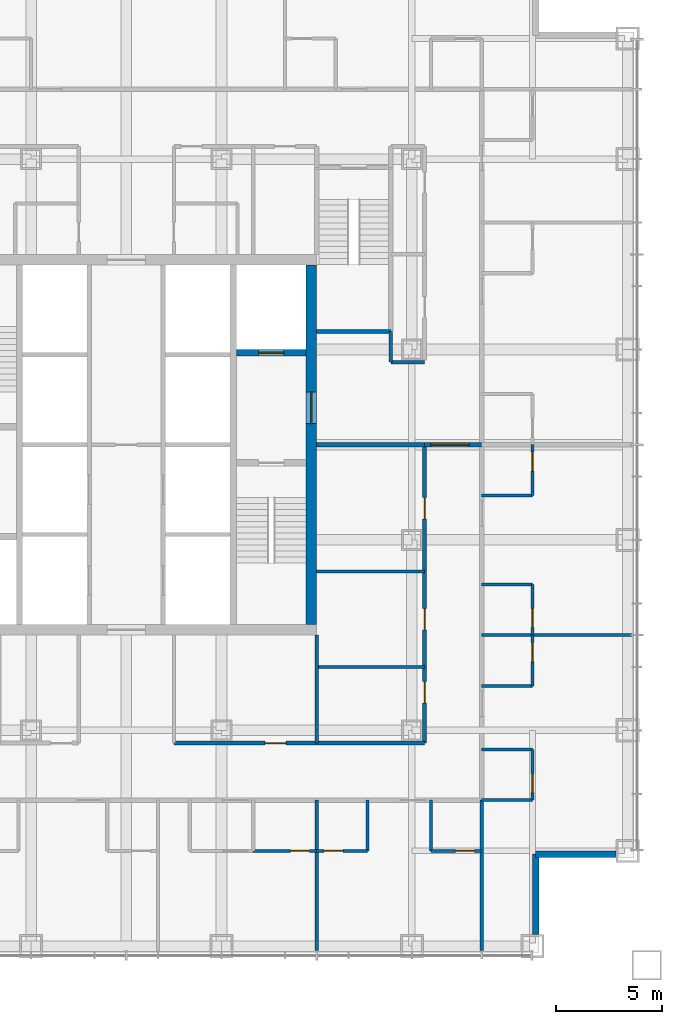
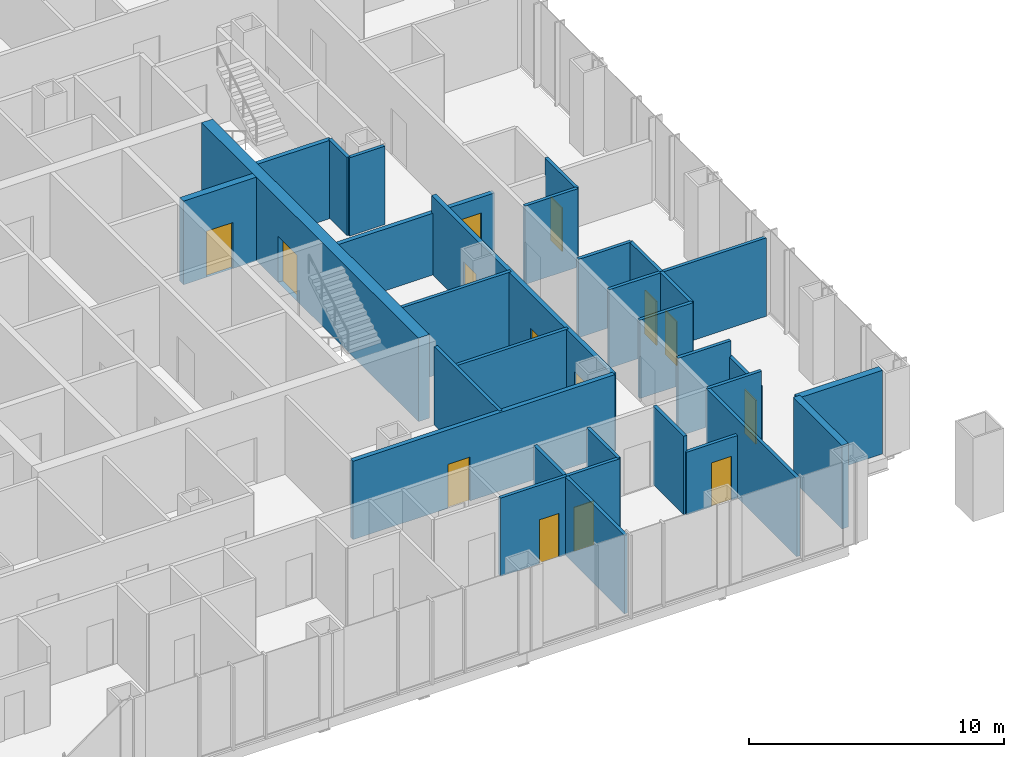
# One storey, part 9 of 12: 31 walls, 14 doors, 14 openings.
"""IFC4 building model written with IfcOpenShell, lengths in metres."""

from ifc_helpers import new_model, si_unit, direction, frame, frame_2d, origin, place, context, subcontext, project, spatial, rectangle, extrude, material, layer, layer_set, type_object, element, fill, save


model = new_model("IFC4")

# Units and contexts
model_context = context("Model", 3, precision=1e-05, world=origin(), true_north=direction((0.0, 1.0)))
body_context = subcontext(model_context, "Body", "Model", "MODEL_VIEW")
ifc_project = project(units=[si_unit("LENGTHUNIT", "METRE"), si_unit("AREAUNIT", "SQUARE_METRE"), si_unit("VOLUMEUNIT", "CUBIC_METRE"), si_unit("PLANEANGLEUNIT", "RADIAN"), si_unit("MASSUNIT", "GRAM", prefix="KILO")], contexts=[model_context])

# Site, building, storey
site_placement = place(None, origin())
site = spatial("IfcSite", under=ifc_project, at=site_placement, CompositionType="ELEMENT")
building_placement = place(site_placement, origin())
building = spatial("IfcBuilding", under=site, at=building_placement, Name="Malebo Sky Hospital", CompositionType="ELEMENT")
storey_placement = place(building_placement, frame((0.0, 0.0, 136.0)))
storey = spatial("IfcBuildingStorey", under=building, at=storey_placement, Name="L32", CompositionType="ELEMENT", Elevation=136.0)

# Wall, opening, door
ifc_material_1 = material(Name="Concrete C80/95", Category="concrete")
ifc_layer_1 = layer(ifc_material_1, 0.300048828125)
ifc_layer_set_1 = layer_set([ifc_layer_1], Name="CORE INNER WALL 300")
wall_type_1 = type_object("IfcWallType", Name="CORE INNER WALL 300", PredefinedType="SHEAR", material=ifc_layer_set_1)
wall_1_placement = place(storey_placement, frame((65.199951171875, 66.35009765625, 0.0), z_axis=(0.0, 0.0, 1.0), x_axis=(1.0, 0.0, 0.0)))
wall_1 = element("IfcWall", 1, at=wall_1_placement, inside=storey, type_object=wall_type_1, Name="Core wall E2 L32", PredefinedType="SHEAR", context=body_context, shape_type="SweptSolid", body=[
    extrude(rectangle(XDim=3.300048828125, YDim=0.300048828125, at=frame_2d((1.64990234375, 0.0))), origin(), (0.0, 0.0, 1.0), 4.0),
])
opening_1_placement = place(wall_1_placement, frame((1.050048828125, 0.0, 0.0)))
opening_1 = element("IfcOpeningElement", 2, at=opening_1_placement, cuts=wall_1, Name="Opening LD2", PredefinedType="OPENING", context=body_context, shape_type="SweptSolid", body=[
    extrude(rectangle(XDim=1.199951171875, YDim=2.199951171875, at=frame_2d((0.60009765625, 1.10009765625))), frame((0.0, 0.159912109375, 0.0), z_axis=(0.0, -1.0, 0.0), x_axis=(1.0, 0.0, 0.0)), (0.0, 0.0, 1.0), 0.320068359375),
])
ifc_material_2 = material(Name="Stainless steel sliding landing door", Category="steel")
door_type_1 = type_object("IfcDoorType", Name="FIRE-FIGHTING LIFT LANDING DOOR 1200", OperationType="SLIDING_TO_LEFT", PredefinedType="DOOR", material=ifc_material_2)
door_1_placement = place(opening_1_placement, origin())
door_1 = element("IfcDoor", 3, at=door_1_placement, inside=storey, type_object=door_type_1, Name="Lift FL2 landing door", OperationType="SLIDING_TO_LEFT", OverallHeight=2.199951171875, OverallWidth=1.199951171875, PredefinedType="DOOR", context=body_context, shape_type="SweptSolid", body=[
    extrude(rectangle(XDim=1.199951171875, YDim=2.199951171875, at=frame_2d((0.60009765625, 1.10009765625))), frame((0.0, 0.02490234375, 0.0), z_axis=(0.0, -1.0, 0.0), x_axis=(1.0, 0.0, 0.0)), (0.0, 0.0, 1.0), 0.050048828125),
])
fill(opening_1, door_1)

ifc_layer_2 = layer(ifc_material_1, 0.5)
ifc_layer_set_2 = layer_set([ifc_layer_2], Name="CORE WALL 500")
wall_type_2 = type_object("IfcWallType", Name="CORE WALL 500", PredefinedType="SHEAR", material=ifc_layer_set_2)
wall_2_placement = place(storey_placement, frame((68.75, 53.5, 0.0), z_axis=(0.0, 0.0, 1.0), x_axis=(0.0, 1.0, 0.0)))
wall_2 = element("IfcWall", 4, at=wall_2_placement, inside=storey, type_object=wall_type_2, Name="Core wall E L32", PredefinedType="SHEAR", context=body_context, shape_type="SweptSolid", body=[
    extrude(rectangle(XDim=17.0, YDim=0.5, at=frame_2d((8.5, 0.0))), origin(), (0.0, 0.0, 1.0), 4.0),
])
opening_2_placement = place(wall_2_placement, frame((9.5, 0.0, 0.0)))
opening_2 = element("IfcOpeningElement", 5, at=opening_2_placement, cuts=wall_2, Name="Opening D07", PredefinedType="OPENING", context=body_context, shape_type="SweptSolid", body=[
    extrude(rectangle(XDim=1.5, YDim=2.199951171875, at=frame_2d((0.75, 1.10009765625))), frame((0.0, 0.260009765625, 0.0), z_axis=(0.0, -1.0, 0.0), x_axis=(1.0, 0.0, 0.0)), (0.0, 0.0, 1.0), 0.52001953125),
])
ifc_material_3 = material(Name="Hardwood-faced door leaf in steel frame", Category="steel")
door_type_2 = type_object("IfcDoorType", Name="FIRE-FIGHTING LOBBY DOOR PAIR 1500", OperationType="DOUBLE_DOOR_SINGLE_SWING", PredefinedType="DOOR", material=ifc_material_3)
door_2_placement = place(opening_2_placement, origin())
door_2 = element("IfcDoor", 6, at=door_2_placement, inside=storey, type_object=door_type_2, Name="Fire-fighting lobby door east", OperationType="DOUBLE_DOOR_SINGLE_SWING", OverallHeight=2.199951171875, OverallWidth=1.5, PredefinedType="DOOR", context=body_context, shape_type="SweptSolid", body=[
    extrude(rectangle(XDim=1.5, YDim=2.199951171875, at=frame_2d((0.75, 1.10009765625))), frame((0.0, 0.02490234375, 0.0), z_axis=(0.0, -1.0, 0.0), x_axis=(1.0, 0.0, 0.0)), (0.0, 0.0, 1.0), 0.050048828125),
])
fill(opening_2, door_2)

ifc_material_4 = material(Name="Gypsum board on steel studs", Category="steel")
ifc_layer_3 = layer(ifc_material_4, 0.199951171875)
ifc_layer_set_3 = layer_set([ifc_layer_3], Name="CORRIDOR WALL 200")
wall_type_3 = type_object("IfcWallType", Name="CORRIDOR WALL 200", PredefinedType="PARTITIONING", material=ifc_layer_set_3)
wall_3_placement = place(storey_placement, frame((74.10009765625, 47.89990234375, 0.0), z_axis=(0.0, 0.0, 1.0), x_axis=(-1.0, 0.0, 0.0)))
wall_3 = element("IfcWall", 7, at=wall_3_placement, inside=storey, type_object=wall_type_3, Name="Corridor Wall 200 SCI1", PredefinedType="PARTITIONING", context=body_context, shape_type="SweptSolid", body=[
    extrude(rectangle(XDim=11.85009765625, YDim=0.199951171875, at=frame_2d((5.925048828125, 0.0))), origin(), (0.0, 0.0, 1.0), 3.75),
])
opening_3_placement = place(wall_3_placement, frame((6.550048828125, 0.0, 0.0)))
opening_3 = element("IfcOpeningElement", 8, at=opening_3_placement, cuts=wall_3, Name="Opening D03", PredefinedType="OPENING", context=body_context, shape_type="SweptSolid", body=[
    extrude(rectangle(XDim=1.0, YDim=2.10009765625, at=frame_2d((0.5, 1.050048828125))), frame((0.0, 0.10986328125, 0.0), z_axis=(0.0, -1.0, 0.0), x_axis=(1.0, 0.0, 0.0)), (0.0, 0.0, 1.0), 0.219970703125),
])
door_type_3 = type_object("IfcDoorType", Name="ROOM DOOR 1000", OperationType="SINGLE_SWING_LEFT", PredefinedType="DOOR", material=ifc_material_3)
door_3_placement = place(opening_3_placement, origin())
door_3 = element("IfcDoor", 9, at=door_3_placement, inside=storey, type_object=door_type_3, Name="Staff rest room door", OperationType="SINGLE_SWING_LEFT", OverallHeight=2.10009765625, OverallWidth=1.0, PredefinedType="DOOR", context=body_context, shape_type="SweptSolid", body=[
    extrude(rectangle(XDim=1.0, YDim=2.10009765625, at=frame_2d((0.5, 1.050048828125))), frame((0.0, 0.02490234375, 0.0), z_axis=(0.0, -1.0, 0.0), x_axis=(1.0, 0.0, 0.0)), (0.0, 0.0, 1.0), 0.050048828125),
])
fill(opening_3, door_3)

# Wall, openings, doors
wall_4_placement = place(storey_placement, frame((74.10009765625, 62.0, 0.0), z_axis=(0.0, 0.0, 1.0), x_axis=(0.0, -1.0, 0.0)))
wall_4 = element("IfcWall", 10, at=wall_4_placement, inside=storey, type_object=wall_type_3, Name="Corridor Wall 200 ECI2", PredefinedType="PARTITIONING", context=body_context, shape_type="SweptSolid", body=[
    extrude(rectangle(XDim=14.10009765625, YDim=0.199951171875, at=frame_2d((7.050048828125, 0.0))), origin(), (0.0, 0.0, 1.0), 3.75),
])
opening_4_placement = place(wall_4_placement, frame((2.5, 0.0, 0.0)))
opening_4 = element("IfcOpeningElement", 11, at=opening_4_placement, cuts=wall_4, Name="Opening D03", PredefinedType="OPENING", context=body_context, shape_type="SweptSolid", body=[
    extrude(rectangle(XDim=1.0, YDim=2.10009765625, at=frame_2d((0.5, 1.050048828125))), frame((0.0, 0.10986328125, 0.0), z_axis=(0.0, -1.0, 0.0), x_axis=(1.0, 0.0, 0.0)), (0.0, 0.0, 1.0), 0.219970703125),
])
opening_5_placement = place(wall_4_placement, frame((7.75, 0.0, 0.0)))
opening_5 = element("IfcOpeningElement", 12, at=opening_5_placement, cuts=wall_4, Name="Opening D03", PredefinedType="OPENING", context=body_context, shape_type="SweptSolid", body=[
    extrude(rectangle(XDim=1.0, YDim=2.10009765625, at=frame_2d((0.5, 1.050048828125))), frame((0.0, 0.10986328125, 0.0), z_axis=(0.0, -1.0, 0.0), x_axis=(1.0, 0.0, 0.0)), (0.0, 0.0, 1.0), 0.219970703125),
])
opening_6_placement = place(wall_4_placement, frame((11.199951171875, 0.0, 0.0)))
opening_6 = element("IfcOpeningElement", 13, at=opening_6_placement, cuts=wall_4, Name="Opening D03", PredefinedType="OPENING", context=body_context, shape_type="SweptSolid", body=[
    extrude(rectangle(XDim=1.0, YDim=2.10009765625, at=frame_2d((0.5, 1.050048828125))), frame((0.0, 0.10986328125, 0.0), z_axis=(0.0, -1.0, 0.0), x_axis=(1.0, 0.0, 0.0)), (0.0, 0.0, 1.0), 0.219970703125),
])
door_4_placement = place(opening_4_placement, origin())
door_4 = element("IfcDoor", 14, at=door_4_placement, inside=storey, type_object=door_type_3, Name="Water treatment plant room door", OperationType="SINGLE_SWING_LEFT", OverallHeight=2.10009765625, OverallWidth=1.0, PredefinedType="DOOR", context=body_context, shape_type="SweptSolid", body=[
    extrude(rectangle(XDim=1.0, YDim=2.10009765625, at=frame_2d((0.5, 1.050048828125))), frame((0.0, 0.02490234375, 0.0), z_axis=(0.0, -1.0, 0.0), x_axis=(1.0, 0.0, 0.0)), (0.0, 0.0, 1.0), 0.050048828125),
])
fill(opening_4, door_4)
door_5_placement = place(opening_5_placement, origin())
door_5 = element("IfcDoor", 15, at=door_5_placement, inside=storey, type_object=door_type_3, Name="Staff base door", OperationType="SINGLE_SWING_LEFT", OverallHeight=2.10009765625, OverallWidth=1.0, PredefinedType="DOOR", context=body_context, shape_type="SweptSolid", body=[
    extrude(rectangle(XDim=1.0, YDim=2.10009765625, at=frame_2d((0.5, 1.050048828125))), frame((0.0, 0.02490234375, 0.0), z_axis=(0.0, -1.0, 0.0), x_axis=(1.0, 0.0, 0.0)), (0.0, 0.0, 1.0), 0.050048828125),
])
fill(opening_5, door_5)
door_6_placement = place(opening_6_placement, origin())
door_6 = element("IfcDoor", 16, at=door_6_placement, inside=storey, type_object=door_type_3, Name="Dirty utility room door", OperationType="SINGLE_SWING_LEFT", OverallHeight=2.10009765625, OverallWidth=1.0, PredefinedType="DOOR", context=body_context, shape_type="SweptSolid", body=[
    extrude(rectangle(XDim=1.0, YDim=2.10009765625, at=frame_2d((0.5, 1.050048828125))), frame((0.0, 0.02490234375, 0.0), z_axis=(0.0, -1.0, 0.0), x_axis=(1.0, 0.0, 0.0)), (0.0, 0.0, 1.0), 0.050048828125),
])
fill(opening_6, door_6)

# Walls
ifc_material_5 = material(Name="Anodised aluminium rainscreen on steel framing", Category="steel")
ifc_layer_4 = layer(ifc_material_5, 0.300048828125)
ifc_layer_set_4 = layer_set([ifc_layer_4], Name="NOTCH RAINSCREEN WALL 300")
wall_type_4 = type_object("IfcWallType", Name="NOTCH RAINSCREEN WALL 300", PredefinedType="ELEMENTEDWALL", material=ifc_layer_set_4)
for number, where, z_axis, x_axis, name in (
    (17, (83.14990234375, 42.64990234375, 0.0), (0.0, 0.0, 1.0), (-1.0, 0.0, 0.0), "Notch rainscreen wall E1 L32"),
    (18, (79.35009765625, 42.64990234375, 0.0), (0.0, 0.0, 1.0), (0.0, -1.0, 0.0), "Notch rainscreen wall E2 L32"),
):
    element("IfcWall", number, at=place(storey_placement, frame(where, z_axis=z_axis, x_axis=x_axis)), inside=storey, type_object=wall_type_4, Name=name, PredefinedType="ELEMENTEDWALL", context=body_context, shape_type="SweptSolid", body=[
        extrude(rectangle(XDim=3.7998046875, YDim=0.300048828125, at=frame_2d((1.89990234375, 0.0))), origin(), (0.0, 0.0, 1.0), 4.0),
    ])
ifc_layer_5 = layer(ifc_material_4, 0.14990234375)
ifc_layer_set_5 = layer_set([ifc_layer_5], Name="PARTITION 150")
wall_type_5 = type_object("IfcWallType", Name="PARTITION 150", PredefinedType="PARTITIONING", material=ifc_layer_set_5)
for number, where, z_axis, x_axis, name in (
    (19, (69.0, 45.199951171875, 0.0), (0.0, 0.0, 1.0), (0.0, -1.0, 0.0), "Partition 150 SP-9.0"),
    (20, (76.800048828125, 45.199951171875, 0.0), (0.0, 0.0, 1.0), (0.0, -1.0, 0.0), "Partition 150 SP0"),
):
    element("IfcWall", number, at=place(storey_placement, frame(where, z_axis=z_axis, x_axis=x_axis)), inside=storey, type_object=wall_type_5, Name=name, PredefinedType="PARTITIONING", context=body_context, shape_type="SweptSolid", body=[
        extrude(rectangle(XDim=7.10986328125, YDim=0.14990234375, at=frame_2d((3.554931640625, 0.0))), origin(), (0.0, 0.0, 1.0), 3.75),
    ])

# Wall, opening, door
wall_5_placement = place(storey_placement, frame((76.800048828125, 42.800048828125, 0.0), z_axis=(0.0, 0.0, 1.0), x_axis=(-1.0, 0.0, 0.0)))
wall_5 = element("IfcWall", 21, at=wall_5_placement, inside=storey, type_object=wall_type_5, Name="Partition 150 SE0F", PredefinedType="PARTITIONING", context=body_context, shape_type="SweptSolid", body=[
    extrude(rectangle(XDim=2.400146484375, YDim=0.14990234375, at=frame_2d((1.2001953125, 0.0))), origin(), (0.0, 0.0, 1.0), 2.9970703125),
])
opening_7_placement = place(wall_5_placement, frame((0.35009765625, 0.0, 0.0)))
opening_7 = element("IfcOpeningElement", 22, at=opening_7_placement, cuts=wall_5, Name="Opening D02", PredefinedType="OPENING", context=body_context, shape_type="SweptSolid", body=[
    extrude(rectangle(XDim=0.89990234375, YDim=2.10009765625, at=frame_2d((0.449951171875, 1.050048828125))), frame((0.0, 0.0849609375, 0.0), z_axis=(0.0, -1.0, 0.0), x_axis=(1.0, 0.0, 0.0)), (0.0, 0.0, 1.0), 0.169921875),
])
door_type_4 = type_object("IfcDoorType", Name="EN-SUITE DOOR 900", OperationType="SINGLE_SWING_LEFT", PredefinedType="DOOR", material=ifc_material_3)
door_7_placement = place(opening_7_placement, origin())
door_7 = element("IfcDoor", 23, at=door_7_placement, inside=storey, type_object=door_type_4, Name="En-suite door", OperationType="SINGLE_SWING_LEFT", OverallHeight=2.10009765625, OverallWidth=0.89990234375, PredefinedType="DOOR", context=body_context, shape_type="SweptSolid", body=[
    extrude(rectangle(XDim=0.89990234375, YDim=2.10009765625, at=frame_2d((0.449951171875, 1.050048828125))), frame((0.0, 0.02490234375, 0.0), z_axis=(0.0, -1.0, 0.0), x_axis=(1.0, 0.0, 0.0)), (0.0, 0.0, 1.0), 0.050048828125),
])
fill(opening_7, door_7)

# Wall
wall_6_placement = place(storey_placement, frame((74.39990234375, 45.199951171875, 0.0), z_axis=(0.0, 0.0, 1.0), x_axis=(0.0, -1.0, 0.0)))
element("IfcWall", 24, at=wall_6_placement, inside=storey, type_object=wall_type_5, Name="Partition 150 SE0S", PredefinedType="PARTITIONING", context=body_context, shape_type="SweptSolid", body=[
    extrude(rectangle(XDim=2.39990234375, YDim=0.14990234375, at=frame_2d((1.199951171875, 0.0))), origin(), (0.0, 0.0, 1.0), 3.75),
])

# Wall, opening, door
wall_7_placement = place(storey_placement, frame((71.39990234375, 42.800048828125, 0.0), z_axis=(0.0, 0.0, 1.0), x_axis=(-1.0, 0.0, 0.0)))
wall_7 = element("IfcWall", 25, at=wall_7_placement, inside=storey, type_object=wall_type_5, Name="Partition 150 SG0F", PredefinedType="PARTITIONING", context=body_context, shape_type="SweptSolid", body=[
    extrude(rectangle(XDim=2.39990234375, YDim=0.14990234375, at=frame_2d((1.199951171875, 0.0))), origin(), (0.0, 0.0, 1.0), 3.75),
])
opening_8_placement = place(wall_7_placement, frame((1.14990234375, 0.0, 0.0)))
opening_8 = element("IfcOpeningElement", 26, at=opening_8_placement, cuts=wall_7, Name="Opening D02", PredefinedType="OPENING", context=body_context, shape_type="SweptSolid", body=[
    extrude(rectangle(XDim=0.89990234375, YDim=2.10009765625, at=frame_2d((0.449951171875, 1.050048828125))), frame((0.0, 0.0849609375, 0.0), z_axis=(0.0, -1.0, 0.0), x_axis=(1.0, 0.0, 0.0)), (0.0, 0.0, 1.0), 0.169921875),
])
door_8_placement = place(opening_8_placement, origin())
door_8 = element("IfcDoor", 27, at=door_8_placement, inside=storey, type_object=door_type_4, Name="En-suite door", OperationType="SINGLE_SWING_RIGHT", OverallHeight=2.10009765625, OverallWidth=0.89990234375, PredefinedType="DOOR", context=body_context, shape_type="SweptSolid", body=[
    extrude(rectangle(XDim=0.89990234375, YDim=2.10009765625, at=frame_2d((0.449951171875, 1.050048828125))), frame((0.0, 0.02490234375, 0.0), z_axis=(0.0, -1.0, 0.0), x_axis=(1.0, 0.0, 0.0)), (0.0, 0.0, 1.0), 0.050048828125),
])
fill(opening_8, door_8)

# Wall
wall_8_placement = place(storey_placement, frame((71.39990234375, 45.199951171875, 0.0), z_axis=(0.0, 0.0, 1.0), x_axis=(0.0, -1.0, 0.0)))
element("IfcWall", 28, at=wall_8_placement, inside=storey, type_object=wall_type_5, Name="Partition 150 SG0S", PredefinedType="PARTITIONING", context=body_context, shape_type="SweptSolid", body=[
    extrude(rectangle(XDim=2.39990234375, YDim=0.14990234375, at=frame_2d((1.199951171875, 0.0))), origin(), (0.0, 0.0, 1.0), 3.75),
])

# Wall, opening, door
wall_9_placement = place(storey_placement, frame((69.0, 42.800048828125, 0.0), z_axis=(0.0, 0.0, 1.0), x_axis=(-1.0, 0.0, 0.0)))
wall_9 = element("IfcWall", 29, at=wall_9_placement, inside=storey, type_object=wall_type_5, Name="Partition 150 SE1F", PredefinedType="PARTITIONING", context=body_context, shape_type="SweptSolid", body=[
    extrude(rectangle(XDim=3.0, YDim=0.14990234375, at=frame_2d((1.5, 0.0))), origin(), (0.0, 0.0, 1.0), 3.75),
])
opening_9_placement = place(wall_9_placement, frame((0.35009765625, 0.0, 0.0)))
opening_9 = element("IfcOpeningElement", 30, at=opening_9_placement, cuts=wall_9, Name="Opening D02", PredefinedType="OPENING", context=body_context, shape_type="SweptSolid", body=[
    extrude(rectangle(XDim=0.89990234375, YDim=2.10009765625, at=frame_2d((0.449951171875, 1.050048828125))), frame((0.0, 0.0849609375, 0.0), z_axis=(0.0, -1.0, 0.0), x_axis=(1.0, 0.0, 0.0)), (0.0, 0.0, 1.0), 0.169921875),
])
door_9_placement = place(opening_9_placement, origin())
door_9 = element("IfcDoor", 31, at=door_9_placement, inside=storey, type_object=door_type_4, Name="En-suite door", OperationType="SINGLE_SWING_LEFT", OverallHeight=2.10009765625, OverallWidth=0.89990234375, PredefinedType="DOOR", context=body_context, shape_type="SweptSolid", body=[
    extrude(rectangle(XDim=0.89990234375, YDim=2.10009765625, at=frame_2d((0.449951171875, 1.050048828125))), frame((0.0, 0.02490234375, 0.0), z_axis=(0.0, -1.0, 0.0), x_axis=(1.0, 0.0, 0.0)), (0.0, 0.0, 1.0), 0.050048828125),
])
fill(opening_9, door_9)

# Walls
wall_10_placement = place(storey_placement, frame((69.0, 53.0, 0.0), z_axis=(0.0, 0.0, 1.0), x_axis=(0.0, -1.0, 0.0)))
element("IfcWall", 32, at=wall_10_placement, inside=storey, type_object=wall_type_5, Name="Partition 150 SSP0", PredefinedType="PARTITIONING", context=body_context, shape_type="SweptSolid", body=[
    extrude(rectangle(XDim=5.10009765625, YDim=0.14990234375, at=frame_2d((2.550048828125, 0.0))), origin(), (0.0, 0.0, 1.0), 3.75),
])
wall_11_placement = place(storey_placement, frame((76.800048828125, 53.0, 0.0), z_axis=(0.0, 0.0, 1.0), x_axis=(1.0, 0.0, 0.0)))
element("IfcWall", 33, at=wall_11_placement, inside=storey, type_object=wall_type_5, Name="Partition 150 EP+9.0", PredefinedType="PARTITIONING", context=body_context, shape_type="SweptSolid", body=[
    extrude(rectangle(XDim=7.10986328125, YDim=0.14990234375, at=frame_2d((3.554931640625, 0.0))), origin(), (0.0, 0.0, 1.0), 3.75),
])

# Wall, opening, door
wall_12_placement = place(storey_placement, frame((79.199951171875, 62.0, 0.0), z_axis=(0.0, 0.0, 1.0), x_axis=(0.0, -1.0, 0.0)))
wall_12 = element("IfcWall", 34, at=wall_12_placement, inside=storey, type_object=wall_type_5, Name="Partition 150 EE2F", PredefinedType="PARTITIONING", context=body_context, shape_type="SweptSolid", body=[
    extrude(rectangle(XDim=2.39990234375, YDim=0.14990234375, at=frame_2d((1.199951171875, 0.0))), origin(), (0.0, 0.0, 1.0), 3.75),
])
opening_10_placement = place(wall_12_placement, frame((0.35009765625, 0.0, 0.0)))
opening_10 = element("IfcOpeningElement", 35, at=opening_10_placement, cuts=wall_12, Name="Opening D02", PredefinedType="OPENING", context=body_context, shape_type="SweptSolid", body=[
    extrude(rectangle(XDim=0.89990234375, YDim=2.10009765625, at=frame_2d((0.449951171875, 1.050048828125))), frame((0.0, 0.0849609375, 0.0), z_axis=(0.0, -1.0, 0.0), x_axis=(1.0, 0.0, 0.0)), (0.0, 0.0, 1.0), 0.169921875),
])
door_10_placement = place(opening_10_placement, origin())
door_10 = element("IfcDoor", 36, at=door_10_placement, inside=storey, type_object=door_type_4, Name="En-suite door", OperationType="SINGLE_SWING_LEFT", OverallHeight=2.10009765625, OverallWidth=0.89990234375, PredefinedType="DOOR", context=body_context, shape_type="SweptSolid", body=[
    extrude(rectangle(XDim=0.89990234375, YDim=2.10009765625, at=frame_2d((0.449951171875, 1.050048828125))), frame((0.0, 0.02490234375, 0.0), z_axis=(0.0, -1.0, 0.0), x_axis=(1.0, 0.0, 0.0)), (0.0, 0.0, 1.0), 0.050048828125),
])
fill(opening_10, door_10)

# Wall
wall_13_placement = place(storey_placement, frame((76.800048828125, 59.60009765625, 0.0), z_axis=(0.0, 0.0, 1.0), x_axis=(1.0, 0.0, 0.0)))
element("IfcWall", 37, at=wall_13_placement, inside=storey, type_object=wall_type_5, Name="Partition 150 EE2S", PredefinedType="PARTITIONING", context=body_context, shape_type="SweptSolid", body=[
    extrude(rectangle(XDim=2.39990234375, YDim=0.14990234375, at=frame_2d((1.199951171875, 0.0))), origin(), (0.0, 0.0, 1.0), 3.75),
])

# Wall, opening, door
wall_14_placement = place(storey_placement, frame((79.199951171875, 55.39990234375, 0.0), z_axis=(0.0, 0.0, 1.0), x_axis=(0.0, -1.0, 0.0)))
wall_14 = element("IfcWall", 38, at=wall_14_placement, inside=storey, type_object=wall_type_5, Name="Partition 150 EG2F", PredefinedType="PARTITIONING", context=body_context, shape_type="SweptSolid", body=[
    extrude(rectangle(XDim=2.39990234375, YDim=0.14990234375, at=frame_2d((1.199951171875, 0.0))), origin(), (0.0, 0.0, 1.0), 3.75),
])
opening_11_placement = place(wall_14_placement, frame((1.14990234375, 0.0, 0.0)))
opening_11 = element("IfcOpeningElement", 39, at=opening_11_placement, cuts=wall_14, Name="Opening D02", PredefinedType="OPENING", context=body_context, shape_type="SweptSolid", body=[
    extrude(rectangle(XDim=0.89990234375, YDim=2.10009765625, at=frame_2d((0.449951171875, 1.050048828125))), frame((0.0, 0.0849609375, 0.0), z_axis=(0.0, -1.0, 0.0), x_axis=(1.0, 0.0, 0.0)), (0.0, 0.0, 1.0), 0.169921875),
])
door_11_placement = place(opening_11_placement, origin())
door_11 = element("IfcDoor", 40, at=door_11_placement, inside=storey, type_object=door_type_4, Name="En-suite door", OperationType="SINGLE_SWING_RIGHT", OverallHeight=2.10009765625, OverallWidth=0.89990234375, PredefinedType="DOOR", context=body_context, shape_type="SweptSolid", body=[
    extrude(rectangle(XDim=0.89990234375, YDim=2.10009765625, at=frame_2d((0.449951171875, 1.050048828125))), frame((0.0, 0.02490234375, 0.0), z_axis=(0.0, -1.0, 0.0), x_axis=(1.0, 0.0, 0.0)), (0.0, 0.0, 1.0), 0.050048828125),
])
fill(opening_11, door_11)

# Wall
wall_15_placement = place(storey_placement, frame((76.800048828125, 55.39990234375, 0.0), z_axis=(0.0, 0.0, 1.0), x_axis=(1.0, 0.0, 0.0)))
element("IfcWall", 41, at=wall_15_placement, inside=storey, type_object=wall_type_5, Name="Partition 150 EG2S", PredefinedType="PARTITIONING", context=body_context, shape_type="SweptSolid", body=[
    extrude(rectangle(XDim=2.39990234375, YDim=0.14990234375, at=frame_2d((1.199951171875, 0.0))), origin(), (0.0, 0.0, 1.0), 3.75),
])

# Wall, opening, door
wall_16_placement = place(storey_placement, frame((79.199951171875, 53.0, 0.0), z_axis=(0.0, 0.0, 1.0), x_axis=(0.0, -1.0, 0.0)))
wall_16 = element("IfcWall", 42, at=wall_16_placement, inside=storey, type_object=wall_type_5, Name="Partition 150 EE3F", PredefinedType="PARTITIONING", context=body_context, shape_type="SweptSolid", body=[
    extrude(rectangle(XDim=2.39990234375, YDim=0.14990234375, at=frame_2d((1.199951171875, 0.0))), origin(), (0.0, 0.0, 1.0), 3.75),
])
opening_12_placement = place(wall_16_placement, frame((0.35009765625, 0.0, 0.0)))
opening_12 = element("IfcOpeningElement", 43, at=opening_12_placement, cuts=wall_16, Name="Opening D02", PredefinedType="OPENING", context=body_context, shape_type="SweptSolid", body=[
    extrude(rectangle(XDim=0.89990234375, YDim=2.10009765625, at=frame_2d((0.449951171875, 1.050048828125))), frame((0.0, 0.0849609375, 0.0), z_axis=(0.0, -1.0, 0.0), x_axis=(1.0, 0.0, 0.0)), (0.0, 0.0, 1.0), 0.169921875),
])
door_12_placement = place(opening_12_placement, origin())
door_12 = element("IfcDoor", 44, at=door_12_placement, inside=storey, type_object=door_type_4, Name="En-suite door", OperationType="SINGLE_SWING_LEFT", OverallHeight=2.10009765625, OverallWidth=0.89990234375, PredefinedType="DOOR", context=body_context, shape_type="SweptSolid", body=[
    extrude(rectangle(XDim=0.89990234375, YDim=2.10009765625, at=frame_2d((0.449951171875, 1.050048828125))), frame((0.0, 0.02490234375, 0.0), z_axis=(0.0, -1.0, 0.0), x_axis=(1.0, 0.0, 0.0)), (0.0, 0.0, 1.0), 0.050048828125),
])
fill(opening_12, door_12)

# Wall
wall_17_placement = place(storey_placement, frame((76.800048828125, 50.60009765625, 0.0), z_axis=(0.0, 0.0, 1.0), x_axis=(1.0, 0.0, 0.0)))
element("IfcWall", 45, at=wall_17_placement, inside=storey, type_object=wall_type_5, Name="Partition 150 EE3S", PredefinedType="PARTITIONING", context=body_context, shape_type="SweptSolid", body=[
    extrude(rectangle(XDim=2.39990234375, YDim=0.14990234375, at=frame_2d((1.199951171875, 0.0))), origin(), (0.0, 0.0, 1.0), 3.75),
])

# Wall, opening, door
wall_18_placement = place(storey_placement, frame((79.199951171875, 47.60009765625, 0.0), z_axis=(0.0, 0.0, 1.0), x_axis=(0.0, -1.0, 0.0)))
wall_18 = element("IfcWall", 46, at=wall_18_placement, inside=storey, type_object=wall_type_5, Name="Partition 150 EG3F", PredefinedType="PARTITIONING", context=body_context, shape_type="SweptSolid", body=[
    extrude(rectangle(XDim=2.400146484375, YDim=0.14990234375, at=frame_2d((1.2001953125, 0.0))), origin(), (0.0, 0.0, 1.0), 2.9970703125),
])
opening_13_placement = place(wall_18_placement, frame((1.14990234375, 0.0, 0.0)))
opening_13 = element("IfcOpeningElement", 47, at=opening_13_placement, cuts=wall_18, Name="Opening D02", PredefinedType="OPENING", context=body_context, shape_type="SweptSolid", body=[
    extrude(rectangle(XDim=0.89990234375, YDim=2.10009765625, at=frame_2d((0.449951171875, 1.050048828125))), frame((0.0, 0.0849609375, 0.0), z_axis=(0.0, -1.0, 0.0), x_axis=(1.0, 0.0, 0.0)), (0.0, 0.0, 1.0), 0.169921875),
])
door_13_placement = place(opening_13_placement, origin())
door_13 = element("IfcDoor", 48, at=door_13_placement, inside=storey, type_object=door_type_4, Name="En-suite door", OperationType="SINGLE_SWING_RIGHT", OverallHeight=2.10009765625, OverallWidth=0.89990234375, PredefinedType="DOOR", context=body_context, shape_type="SweptSolid", body=[
    extrude(rectangle(XDim=0.89990234375, YDim=2.10009765625, at=frame_2d((0.449951171875, 1.050048828125))), frame((0.0, 0.02490234375, 0.0), z_axis=(0.0, -1.0, 0.0), x_axis=(1.0, 0.0, 0.0)), (0.0, 0.0, 1.0), 0.050048828125),
])
fill(opening_13, door_13)

# Walls
for number, where, z_axis, x_axis, name in (
    (49, (76.800048828125, 47.60009765625, 0.0), (0.0, 0.0, 1.0), (1.0, 0.0, 0.0), "Partition 150 EG3S"),
    (50, (76.800048828125, 45.199951171875, 0.0), (0.0, 0.0, 1.0), (1.0, 0.0, 0.0), "Partition 150 EEZ"),
):
    element("IfcWall", number, at=place(storey_placement, frame(where, z_axis=z_axis, x_axis=x_axis)), inside=storey, type_object=wall_type_5, Name=name, PredefinedType="PARTITIONING", context=body_context, shape_type="SweptSolid", body=[
        extrude(rectangle(XDim=2.39990234375, YDim=0.14990234375, at=frame_2d((1.199951171875, 0.0))), origin(), (0.0, 0.0, 1.0), 3.75),
    ])
wall_19_placement = place(storey_placement, frame((72.5, 65.89990234375, 0.0), z_axis=(0.0, 0.0, 1.0), x_axis=(1.0, 0.0, 0.0)))
element("IfcWall", 51, at=wall_19_placement, inside=storey, type_object=wall_type_5, Name="Partition 150 ESPA", PredefinedType="PARTITIONING", context=body_context, shape_type="SweptSolid", body=[
    extrude(rectangle(XDim=1.60009765625, YDim=0.14990234375, at=frame_2d((0.800048828125, 0.0))), origin(), (0.0, 0.0, 1.0), 3.75),
])
for number, where, z_axis, x_axis, name in (
    (52, (69.0, 56.0, 0.0), (0.0, 0.0, 1.0), (1.0, 0.0, 0.0), "Partition 150 ESP+6.0"),
    (53, (69.0, 51.5, 0.0), (0.0, 0.0, 1.0), (1.0, 0.0, 0.0), "Partition 150 ESP+10.5"),
):
    element("IfcWall", number, at=place(storey_placement, frame(where, z_axis=z_axis, x_axis=x_axis)), inside=storey, type_object=wall_type_5, Name=name, PredefinedType="PARTITIONING", context=body_context, shape_type="SweptSolid", body=[
        extrude(rectangle(XDim=5.10009765625, YDim=0.14990234375, at=frame_2d((2.550048828125, 0.0))), origin(), (0.0, 0.0, 1.0), 3.75),
    ])
wall_20_placement = place(storey_placement, frame((72.5, 65.89990234375, 0.0), z_axis=(0.0, 0.0, 1.0), x_axis=(0.0, 1.0, 0.0)))
element("IfcWall", 54, at=wall_20_placement, inside=storey, type_object=wall_type_5, Name="Partition 150 ST3C", PredefinedType="PARTITIONING", context=body_context, shape_type="SweptSolid", body=[
    extrude(rectangle(XDim=1.4501953125, YDim=0.14990234375, at=frame_2d((0.72509765625, 0.0))), origin(), (0.0, 0.0, 1.0), 3.75),
])
ifc_material_6 = material(Name="Concrete blockwork", Category="masonry")
ifc_layer_6 = layer(ifc_material_6, 0.199951171875)
ifc_layer_set_6 = layer_set([ifc_layer_6], Name="SMOKE BARRIER WALL 200")
wall_type_6 = type_object("IfcWallType", Name="SMOKE BARRIER WALL 200", PredefinedType="SOLIDWALL", material=ifc_layer_set_6)
wall_21_placement = place(storey_placement, frame((69.0, 62.0, 0.0), z_axis=(0.0, 0.0, 1.0), x_axis=(1.0, 0.0, 0.0)))
element("IfcWall", 55, at=wall_21_placement, inside=storey, type_object=wall_type_6, Name="Smoke Barrier Wall 200 ESPB", PredefinedType="SOLIDWALL", context=body_context, shape_type="SweptSolid", body=[
    extrude(rectangle(XDim=5.10009765625, YDim=0.199951171875, at=frame_2d((2.550048828125, 0.0))), origin(), (0.0, 0.0, 1.0), 2.949951171875),
])

# Wall, opening, door
wall_22_placement = place(storey_placement, frame((74.10009765625, 62.0, 0.0), z_axis=(0.0, 0.0, 1.0), x_axis=(1.0, 0.0, 0.0)))
wall_22 = element("IfcWall", 56, at=wall_22_placement, inside=storey, type_object=wall_type_6, Name="Smoke Barrier Wall 200 ESB", PredefinedType="SOLIDWALL", context=body_context, shape_type="SweptSolid", body=[
    extrude(rectangle(XDim=2.699951171875, YDim=0.199951171875, at=frame_2d((1.35009765625, 0.0))), origin(), (0.0, 0.0, 1.0), 2.949951171875),
])
opening_14_placement = place(wall_22_placement, frame((0.300048828125, 0.0, 0.0)))
opening_14 = element("IfcOpeningElement", 57, at=opening_14_placement, cuts=wall_22, Name="Opening D05", PredefinedType="OPENING", context=body_context, shape_type="SweptSolid", body=[
    extrude(rectangle(XDim=1.800048828125, YDim=2.199951171875, at=frame_2d((0.89990234375, 1.10009765625))), frame((0.0, 0.10986328125, 0.0), z_axis=(0.0, -1.0, 0.0), x_axis=(1.0, 0.0, 0.0)), (0.0, 0.0, 1.0), 0.219970703125),
])
door_type_5 = type_object("IfcDoorType", Name="SMOKE DOOR PAIR 1800", OperationType="DOUBLE_DOOR_DOUBLE_SWING", PredefinedType="DOOR", material=ifc_material_3)
door_14_placement = place(opening_14_placement, origin())
door_14 = element("IfcDoor", 58, at=door_14_placement, inside=storey, type_object=door_type_5, Name="Smoke compartment door pair", OperationType="DOUBLE_DOOR_DOUBLE_SWING", OverallHeight=2.199951171875, OverallWidth=1.800048828125, PredefinedType="DOOR", context=body_context, shape_type="SweptSolid", body=[
    extrude(rectangle(XDim=1.800048828125, YDim=2.199951171875, at=frame_2d((0.89990234375, 1.10009765625))), frame((0.0, 0.02490234375, 0.0), z_axis=(0.0, -1.0, 0.0), x_axis=(1.0, 0.0, 0.0)), (0.0, 0.0, 1.0), 0.050048828125),
])
fill(opening_14, door_14)

# Wall
ifc_material_7 = material(Name="Concrete C40/50", Category="concrete")
ifc_layer_7 = layer(ifc_material_7, 0.199951171875)
ifc_layer_set_7 = layer_set([ifc_layer_7], Name="STAIR ENCLOSURE WALL 200")
wall_type_7 = type_object("IfcWallType", Name="STAIR ENCLOSURE WALL 200", PredefinedType="SOLIDWALL", material=ifc_layer_set_7)
wall_23_placement = place(storey_placement, frame((69.0, 67.35009765625, 0.0), z_axis=(0.0, 0.0, 1.0), x_axis=(1.0, 0.0, 0.0)))
element("IfcWall", 59, at=wall_23_placement, inside=storey, type_object=wall_type_7, Name="Stair Enclosure Wall 200 ST3S", PredefinedType="SOLIDWALL", context=body_context, shape_type="SweptSolid", body=[
    extrude(rectangle(XDim=3.5, YDim=0.199951171875, at=frame_2d((1.75, 0.0))), origin(), (0.0, 0.0, 1.0), 3.75),
])

save(model, "model.ifc")
